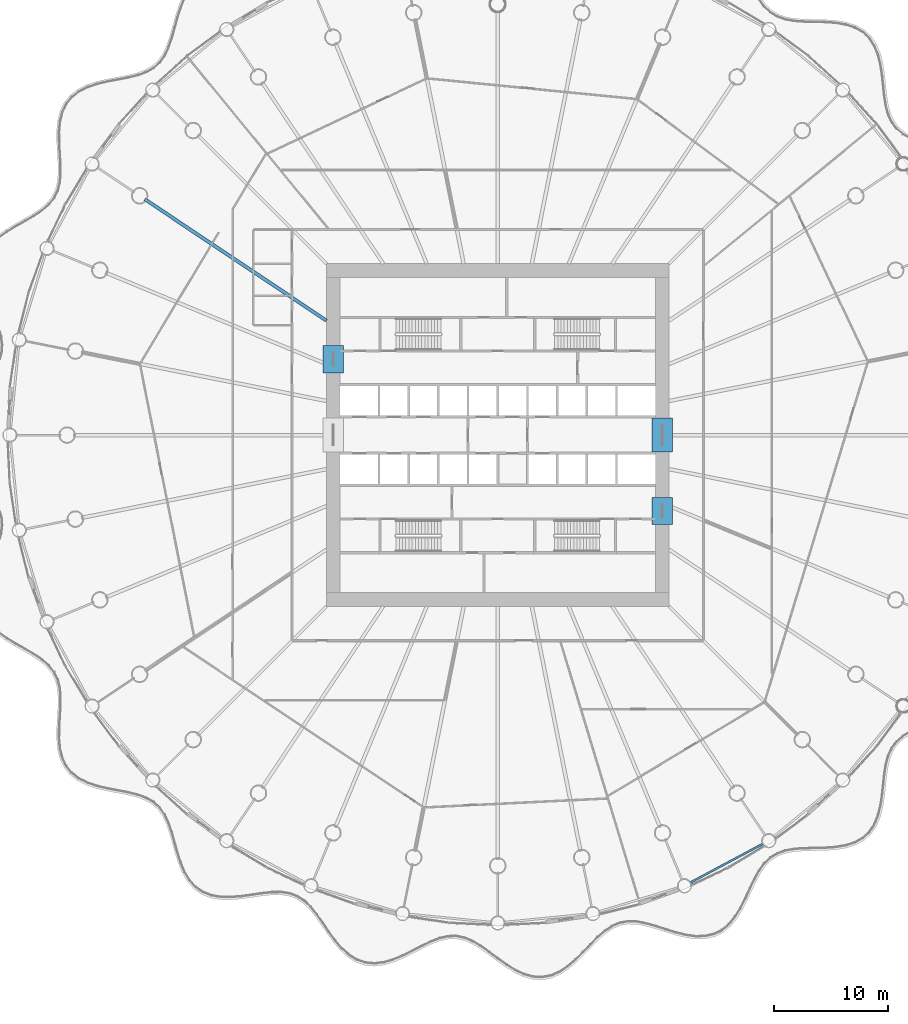
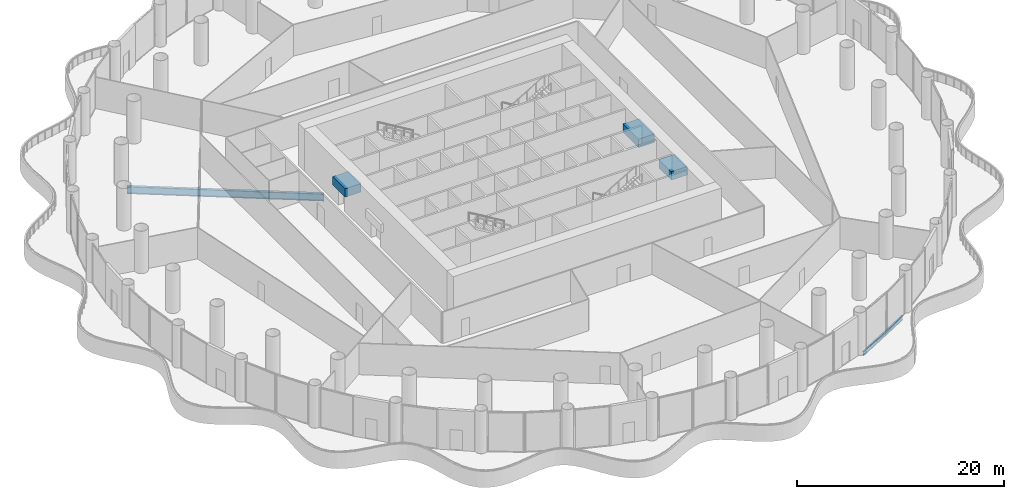
# One storey, part 9 of 35: 5 beams.
"""IFC4 building model written with IfcOpenShell, lengths in metres."""

import ifcopenshell
import ifcopenshell.guid

model = None  # the IFC model being written
_history = None  # IfcOwnerHistory: only IFC2X3 demands one
_inside = {}  # id of a spatial element -> (the spatial element, [elements in it])
_under = {}  # id of a project, library or spatial element -> (it, [spatial elements below it])
_declared = {}  # id of a project -> (the project, [libraries it declares])
_typed = {}  # id of a type object -> (the type object, [elements of that type])
_made_of = {}  # id of a material, layer set ... -> (it, [elements and type objects made of it])


def new_model(schema):
    """Start an empty IFC model of exactly this schema.

    Asked for "IFC4X3", IfcOpenShell would pick the latest addendum, in which some entities
    have other attributes; the version numbers below select the first issue.
    IFC2X3 requires an IfcOwnerHistory on every rooted entity: one is made here for all.
    """
    global model, _history
    if schema == "IFC4X3":
        model = ifcopenshell.file(schema_version=(4, 3, 0, 0))
    else:
        model = ifcopenshell.file(schema=schema)
    _inside.clear()
    _under.clear()
    _declared.clear()
    _typed.clear()
    _made_of.clear()
    _history = None
    if model.schema == "IFC2X3":
        org = make("IfcOrganization", Name="unknown")
        user = make(
            "IfcPersonAndOrganization",
            ThePerson=make("IfcPerson", FamilyName="unknown"),
            TheOrganization=org,
        )
        app = make(
            "IfcApplication",
            ApplicationDeveloper=org,
            Version="unknown",
            ApplicationFullName="unknown",
            ApplicationIdentifier="unknown",
        )
        _history = make(
            "IfcOwnerHistory",
            OwningUser=user,
            OwningApplication=app,
            ChangeAction="ADDED",
            CreationDate=0,
        )
    return model


def make(cls, **values):
    """One entity of the class cls with the attributes given. An attribute that is None is left unset."""
    return model.create_entity(
        cls, **{name: value for name, value in values.items() if value is not None}
    )


def rooted(cls, **values):
    """An entity with a GlobalId (a new one), such as an element, a storey or a relation."""
    return make(cls, GlobalId=ifcopenshell.guid.new(), OwnerHistory=_history, **values)


def si_unit(unit_type, name, prefix=None):
    """IfcSIUnit, for example si_unit("LENGTHUNIT", "METRE", prefix="MILLI")."""
    return make("IfcSIUnit", UnitType=unit_type, Prefix=prefix, Name=name)


def assignment(units):
    """IfcUnitAssignment: the units of a project."""
    return None if units is None else make("IfcUnitAssignment", Units=units)


def point(xyz):
    """IfcCartesianPoint."""
    return None if xyz is None else make("IfcCartesianPoint", Coordinates=xyz)


def direction(xyz):
    """IfcDirection."""
    return None if xyz is None else make("IfcDirection", DirectionRatios=xyz)


def frame(location, z_axis=None, x_axis=None):
    """IfcAxis2Placement3D, a coordinate frame: its origin and axes. An axis left out is left unset."""
    return make(
        "IfcAxis2Placement3D",
        Location=point(location),
        Axis=direction(z_axis),
        RefDirection=direction(x_axis),
    )


def frame_2d(location, x_axis=None):
    """IfcAxis2Placement2D, a coordinate frame in the plane: its origin and x axis."""
    return make(
        "IfcAxis2Placement2D", Location=point(location), RefDirection=direction(x_axis)
    )


def origin():
    """The frame at (0, 0, 0) with its axes left unset."""
    return frame((0.0, 0.0, 0.0))


def origin_2d():
    """The frame at (0, 0) in the plane with its x axis left unset."""
    return frame_2d((0.0, 0.0))


def place(relative_to, where):
    """IfcLocalPlacement: puts the frame where relative to a parent placement (None: the world)."""
    return make(
        "IfcLocalPlacement", PlacementRelTo=relative_to, RelativePlacement=where
    )


def context(
    kind, dimensions, precision=None, world=None, true_north=None, identifier=None
):
    """IfcGeometricRepresentationContext, for example the 3D "Model" context."""
    return make(
        "IfcGeometricRepresentationContext",
        ContextIdentifier=identifier,
        ContextType=kind,
        CoordinateSpaceDimension=dimensions,
        Precision=precision,
        WorldCoordinateSystem=world,
        TrueNorth=true_north,
    )


def subcontext(parent, identifier, kind, view, scale=None):
    """IfcGeometricRepresentationSubContext, for example "Body" below "Model"."""
    return make(
        "IfcGeometricRepresentationSubContext",
        ContextIdentifier=identifier,
        ContextType=kind,
        ParentContext=parent,
        TargetScale=scale,
        TargetView=view,
    )


def project(units=None, contexts=None):
    """IfcProject with its units and contexts."""
    return rooted(
        "IfcProject",
        Name="project",
        RepresentationContexts=contexts,
        UnitsInContext=assignment(units),
    )


def spatial(cls, under=None, at=None, **own):
    """A site, building, storey or space (cls), placed at a placement, below another one or the project."""
    s = rooted(cls, ObjectPlacement=at, **own)
    if under is not None:
        _under.setdefault(under.id(), (under, []))[1].append(s)
    return s


def profile(cls, at=None, kind="AREA", **sizes):
    """A parametric profile (cls). Its sizes go by their IFC names, for example OverallWidth=200.0."""
    return make(cls, ProfileType=kind, Position=at, **sizes)


def rectangle(**sizes):
    """IfcRectangleProfileDef."""
    return profile("IfcRectangleProfileDef", **sizes)


def i_section(**sizes):
    """IfcIShapeProfileDef."""
    return profile("IfcIShapeProfileDef", **sizes)


def extrude(swept, where, along, depth):
    """IfcExtrudedAreaSolid: the profile swept, set in the frame where, extruded along a direction by depth."""
    return make(
        "IfcExtrudedAreaSolid",
        SweptArea=swept,
        Position=where,
        ExtrudedDirection=direction(along),
        Depth=depth,
    )


def shape(context_of_items, identifier, shape_type, items):
    """IfcShapeRepresentation: the items that make up one representation, for example the "Body"."""
    return make(
        "IfcShapeRepresentation",
        ContextOfItems=context_of_items,
        RepresentationIdentifier=identifier,
        RepresentationType=shape_type,
        Items=items,
    )


def material(Name=None, Category=None):
    """IfcMaterial."""
    return make("IfcMaterial", Name=Name, Category=Category)


def material_profile(
    of_material, cross_section, Name=None, Category=None, Priority=None
):
    """IfcMaterialProfile: a cross section and its material."""
    return make(
        "IfcMaterialProfile",
        Name=Name,
        Material=of_material,
        Profile=cross_section,
        Priority=Priority,
        Category=Category,
    )


def profile_set(profiles, Name=None, composite=None):
    """IfcMaterialProfileSet."""
    return make(
        "IfcMaterialProfileSet",
        Name=Name,
        MaterialProfiles=profiles,
        CompositeProfile=composite,
    )


def made_of(thing, what):
    """Note that an element or type object is made of a material, layer set ...; save() writes the relation."""
    if what is not None:
        _made_of.setdefault(what.id(), (what, []))[1].append(thing)
    return thing


def type_object(cls, material=None, **own):
    """A type object (cls), such as IfcWallType, which elements share."""
    return made_of(rooted(cls, **own), material)


def element(
    cls,
    number,
    at=None,
    inside=None,
    cuts=None,
    type_object=None,
    material=None,
    context=None,
    identifier="Body",
    shape_type=None,
    held_by="IfcProductDefinitionShape",
    body=None,
    shapes=None,
    **own,
):
    """One element of the class cls, such as IfcWall. Its Tag is "e" and its number.

    at: its placement. inside: the storey or other place that contains it. cuts: it is an
    opening in that element (IfcRelVoidsElement). A single representation is given by context,
    identifier, shape_type and body (its items); several are given by shapes. held_by: the class
    of the entity that holds the representations. save() writes the other relations.
    """
    e = rooted(cls, Tag="e%d" % number, ObjectPlacement=at, **own)
    if body is not None:
        shapes = [shape(context, identifier, shape_type, body)]
    if shapes is not None:
        e.Representation = make(held_by, Representations=shapes)
    if inside is not None:
        _inside.setdefault(inside.id(), (inside, []))[1].append(e)
    if cuts is not None:
        rooted(
            "IfcRelVoidsElement", RelatingBuildingElement=cuts, RelatedOpeningElement=e
        )
    if type_object is not None:
        _typed.setdefault(type_object.id(), (type_object, []))[1].append(e)
    return made_of(e, material)


def aggregate(whole, parts):
    """IfcRelAggregates: a whole, such as a stair, and the parts it consists of."""
    return rooted("IfcRelAggregates", RelatingObject=whole, RelatedObjects=parts)


def save(model, path):
    """Write the relations noted so far, then the file.

    IfcRelAggregates (storeys below a building ...), IfcRelContainedInSpatialStructure (elements
    in a storey), IfcRelDefinesByType, IfcRelAssociatesMaterial and IfcRelDeclares: one each for
    every whole, place, type object, material and project.
    """
    for whole, parts in _under.values():
        aggregate(whole, parts)
    for where, things in _inside.values():
        rooted(
            "IfcRelContainedInSpatialStructure",
            RelatedElements=things,
            RelatingStructure=where,
        )
    for kind, things in _typed.values():
        rooted("IfcRelDefinesByType", RelatedObjects=things, RelatingType=kind)
    for what, things in _made_of.values():
        rooted("IfcRelAssociatesMaterial", RelatedObjects=things, RelatingMaterial=what)
    for by, libraries in _declared.values():
        rooted("IfcRelDeclares", RelatingContext=by, RelatedDefinitions=libraries)
    model.write(path)


model = new_model("IFC4")

# Units and contexts
model_context = context("Model", 3, precision=1e-05, world=origin(), true_north=direction((0.0, 1.0)))
body_context = subcontext(model_context, "Body", "Model", "MODEL_VIEW")
ifc_project = project(units=[si_unit("LENGTHUNIT", "METRE"), si_unit("AREAUNIT", "SQUARE_METRE"), si_unit("VOLUMEUNIT", "CUBIC_METRE"), si_unit("PLANEANGLEUNIT", "RADIAN"), si_unit("MASSUNIT", "GRAM", prefix="KILO")], contexts=[model_context])

# Site, building, storey
site_placement = place(None, origin())
site = spatial("IfcSite", under=ifc_project, at=site_placement, CompositionType="ELEMENT")
building_placement = place(site_placement, origin())
building = spatial("IfcBuilding", under=site, at=building_placement, Name="Corvane Civic Tower", CompositionType="ELEMENT")
storey_placement = place(building_placement, frame((0.0, 0.0, 22.0)))
storey = spatial("IfcBuildingStorey", under=building, at=storey_placement, Name="L04", CompositionType="ELEMENT", Elevation=22.0)

# Beams
ifc_material_1 = material(Name="Concrete C80/95", Category="concrete")
ifc_material_profile_1 = material_profile(ifc_material_1, rectangle(XDim=1.800048828125, YDim=1.0, at=origin_2d()), Name="COUPLING BEAM 1800X1000")
ifc_profile_set_1 = profile_set([ifc_material_profile_1], Name="Concrete C80/95")
beam_type_1 = type_object("IfcBeamType", Name="COUPLING BEAM COUPLING BEAM 1800X1000", PredefinedType="BEAM", material=ifc_profile_set_1)
beam_1_placement = place(storey_placement, frame((14.39990234375, -1.5, 2.60009765625), z_axis=(0.0, 1.0, 0.0), x_axis=(-1.0, 0.0, 0.0)))
element("IfcBeam", 1, at=beam_1_placement, inside=storey, type_object=beam_type_1, Name="BM-L04-cpl-CW-LE", PredefinedType="BEAM", context=body_context, shape_type="SweptSolid", body=[
    extrude(rectangle(XDim=1.800048828125, YDim=1.0, at=origin_2d()), origin(), (0.0, 0.0, 1.0), 3.0),
])
for number, where, z_axis, x_axis, name in (
    (2, (-14.39990234375, 5.449951171875, 2.60009765625), (0.0, 1.0, 0.0), (-1.0, 0.0, 0.0), "BM-L04-cpl-CW-WN"),
    (3, (14.39990234375, -7.85009765625, 2.60009765625), (0.0, 1.0, 0.0), (-1.0, 0.0, 0.0), "BM-L04-cpl-CW-ES"),
):
    element("IfcBeam", number, at=place(storey_placement, frame(where, z_axis=z_axis, x_axis=x_axis)), inside=storey, type_object=beam_type_1, Name=name, PredefinedType="BEAM", context=body_context, shape_type="SweptSolid", body=[
        extrude(rectangle(XDim=1.800048828125, YDim=1.0, at=origin_2d()), origin(), (0.0, 0.0, 1.0), 2.400146484375),
    ])
ifc_material_2 = material(Name="Steel ASTM A992 Gr 50", Category="steel")
ifc_material_profile_2 = material_profile(ifc_material_2, i_section(OverallWidth=0.165771484375, OverallDepth=0.5283203125, WebThickness=0.009765625, FlangeThickness=0.013671875, at=origin_2d()), Name="W21X50")
ifc_profile_set_2 = profile_set([ifc_material_profile_2], Name="Steel ASTM A992 Gr 50")
beam_type_2 = type_object("IfcBeamType", Name="EDGE BEAM W21X50", PredefinedType="BEAM", material=ifc_profile_set_2)
beam_2_placement = place(storey_placement, frame((23.23779296875, -35.762939453125, -0.564208984375), z_axis=(-0.881912894916, -0.471412394598, 0.0), x_axis=(0.471412394598, -0.881912894916, 0.0)))
element("IfcBeam", 4, at=beam_2_placement, inside=storey, type_object=beam_type_2, Name="BM-L04-E14", PredefinedType="BEAM", context=body_context, shape_type="SweptSolid", body=[
    extrude(i_section(OverallWidth=0.165771484375, OverallDepth=0.5283203125, WebThickness=0.009765625, FlangeThickness=0.013671875, at=origin_2d()), origin(), (0.0, 0.0, 1.0), 7.270751953125),
])
ifc_material_3 = material(Name="Steel ASTM A992 Gr 50", Category="steel")
ifc_material_profile_3 = material_profile(ifc_material_3, i_section(OverallWidth=0.2919921875, OverallDepth=0.845703125, WebThickness=0.015380859375, FlangeThickness=0.0244140625, at=origin_2d()), Name="W33X141")
ifc_profile_set_3 = profile_set([ifc_material_profile_3], Name="Steel ASTM A992 Gr 50")
beam_type_3 = type_object("IfcBeamType", Name="FLOOR GIRDER W33X141", PredefinedType="BEAM", material=ifc_profile_set_3)
beam_3_placement = place(storey_placement, frame((-15.0, 10.022705078125, -0.722900390625), z_axis=(-0.831471985418, 0.555566681385, 0.0), x_axis=(-0.555566681385, -0.831471985418, 0.0)))
element("IfcBeam", 5, at=beam_3_placement, inside=storey, type_object=beam_type_3, Name="BM-L04-G28", PredefinedType="BEAM", context=body_context, shape_type="SweptSolid", body=[
    extrude(i_section(OverallWidth=0.2919921875, OverallDepth=0.845703125, WebThickness=0.015380859375, FlangeThickness=0.0244140625, at=origin_2d()), origin(), (0.0, 0.0, 1.0), 19.109619140625),
])

save(model, "model.ifc")
